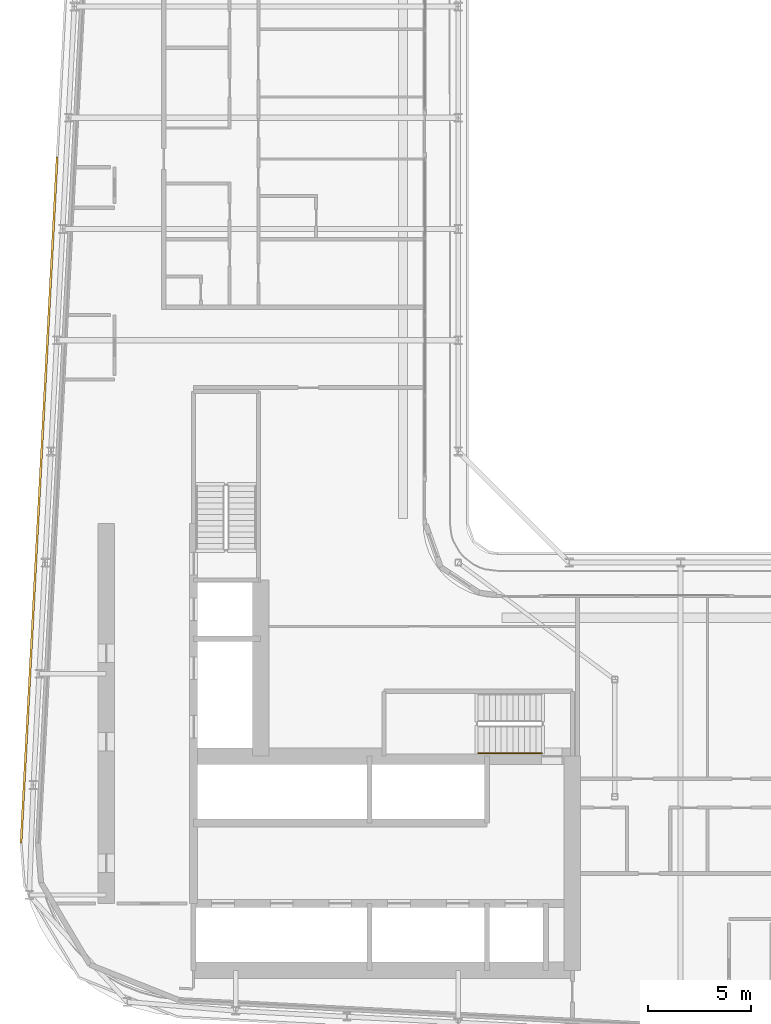
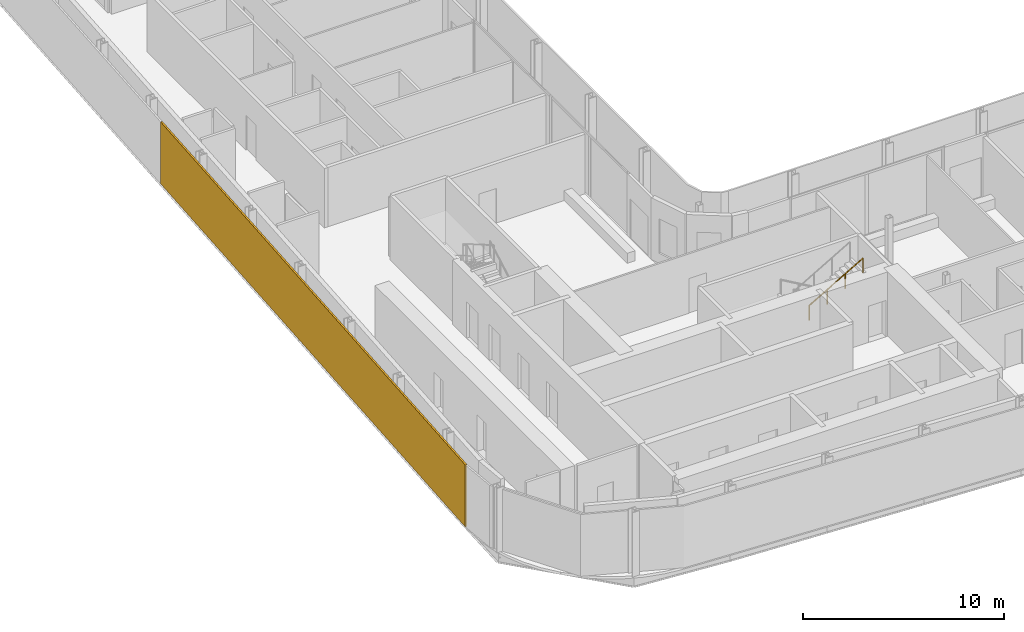
# One storey, part 23 of 29: 1 railing, 1 shading device.
"""IFC4 building model written with IfcOpenShell, lengths in metres."""

from ifc_helpers import new_model, si_unit, direction, frame, origin, origin_2d, place, context, subcontext, project, spatial, rectangle, circle, extrude, material, layer, layer_set, type_object, element, save


model = new_model("IFC4")

# Units and contexts
model_context = context("Model", 3, precision=1e-05, world=origin(), true_north=direction((0.0, 1.0)))
body_context = subcontext(model_context, "Body", "Model", "MODEL_VIEW")
ifc_project = project(units=[si_unit("LENGTHUNIT", "METRE"), si_unit("AREAUNIT", "SQUARE_METRE"), si_unit("VOLUMEUNIT", "CUBIC_METRE"), si_unit("PLANEANGLEUNIT", "RADIAN"), si_unit("MASSUNIT", "GRAM", prefix="KILO")], contexts=[model_context])

# Site, building, storey
site_placement = place(None, origin())
site = spatial("IfcSite", under=ifc_project, at=site_placement, CompositionType="ELEMENT")
building_placement = place(site_placement, origin())
building = spatial("IfcBuilding", under=site, at=building_placement, Name="Kheshtan School and Residences Tower", CompositionType="ELEMENT")
storey_placement = place(building_placement, frame((0.0, 0.0, 168.199951171875)))
storey = spatial("IfcBuildingStorey", under=building, at=storey_placement, Name="L39", CompositionType="ELEMENT", Elevation=168.199951171875)

# Shading device
ifc_material_1 = material(Name="Terracotta baguette, extruded ceramic", Category="masonry")
ifc_layer = layer(ifc_material_1, 0.10009765625)
ifc_layer_set = layer_set([ifc_layer], Name="Ledge screen, terracotta baguettes")
shading_device_type = type_object("IfcShadingDeviceType", Name="Ledge screen, terracotta baguettes", PredefinedType="USERDEFINED", material=ifc_layer_set)
shading_device_placement = place(storey_placement, frame((27.24609375, 48.638916015625, 0.0), z_axis=(0.0, 0.0, 1.0), x_axis=(0.052562536748, 0.998617634398, 0.0)))
element("IfcShadingDevice", 1, at=shading_device_placement, inside=storey, type_object=shading_device_type, Name="Screen L39 4", ObjectType="BAGUETTE", PredefinedType="USERDEFINED", context=body_context, shape_type="SweptSolid", body=[
    extrude(rectangle(XDim=33.341064453125, YDim=0.10009765625, at=origin_2d()), origin(), (0.0, 0.0, 1.0), 3.75),
])

# Railing
ifc_material_2 = material(Name="Stainless steel handrail", Category="steel")
railing_type = type_object("IfcRailingType", Name="Stair handrail 900", PredefinedType="HANDRAIL", material=ifc_material_2)
railing_placement = place(storey_placement, frame((48.570068359375, 36.35009765625, 2.112548828125)))
element("IfcRailing", 2, at=railing_placement, inside=storey, type_object=railing_type, Name="L39 ST1 stair handrail 2", PredefinedType="HANDRAIL", context=body_context, shape_type="SweptSolid", body=[
    extrude(circle(Radius=0.02392578125, at=origin_2d()), frame((0.0, 0.0, 0.8759765625), z_axis=(0.864873446163, 0.0, 0.501989962173), x_axis=(0.0, 1.0, 0.0)), (0.0, 0.0, 1.0), 3.56103515625),
    extrude(circle(Radius=0.02099609375, at=origin_2d()), origin(), (0.0, 0.0, 1.0), 0.851806640625),
    extrude(circle(Radius=0.02099609375, at=origin_2d()), frame((1.026611328125, 0.0, 0.595947265625)), (0.0, 0.0, 1.0), 0.851806640625),
    extrude(circle(Radius=0.02099609375, at=origin_2d()), frame((2.05322265625, 0.0, 1.191650390625)), (0.0, 0.0, 1.0), 0.851806640625),
    extrude(circle(Radius=0.02099609375, at=origin_2d()), frame((3.079833984375, 0.0, 1.78759765625)), (0.0, 0.0, 1.0), 0.851806640625),
])

save(model, "model.ifc")
